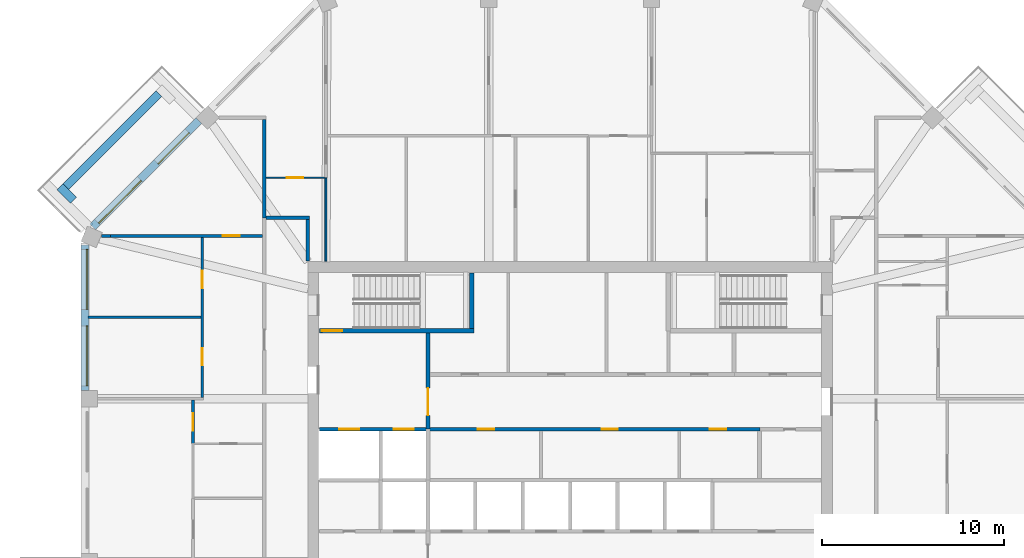
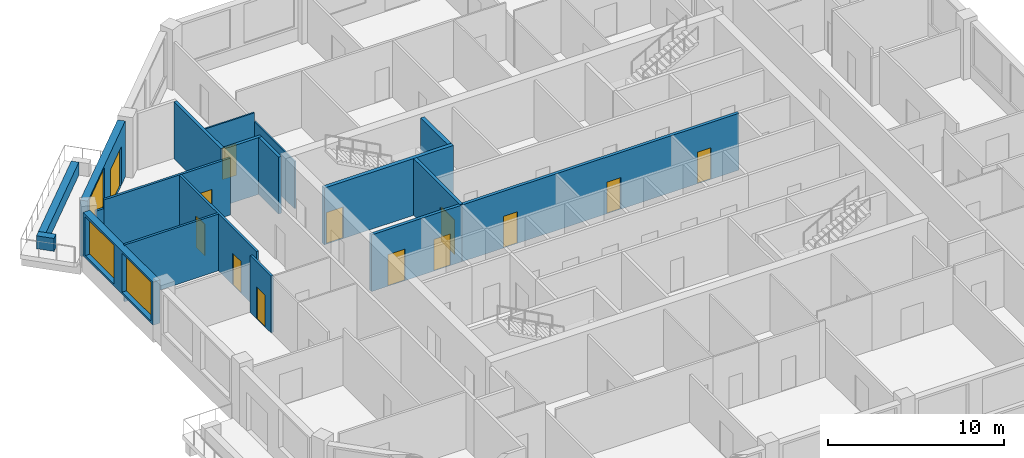
# One storey, part 7 of 11: 19 walls, 13 doors, 3 windows, 16 openings.
"""IFC4 building model written with IfcOpenShell, lengths in metres."""

from ifc_helpers import new_model, si_unit, direction, frame, frame_2d, origin, place, context, subcontext, project, spatial, rectangle, extrude, material, layer, layer_set, type_object, element, fill, save


model = new_model("IFC4")

# Units and contexts
model_context = context("Model", 3, precision=1e-05, world=origin(), true_north=direction((0.0, 1.0)))
body_context = subcontext(model_context, "Body", "Model", "MODEL_VIEW")
ifc_project = project(units=[si_unit("LENGTHUNIT", "METRE"), si_unit("AREAUNIT", "SQUARE_METRE"), si_unit("VOLUMEUNIT", "CUBIC_METRE"), si_unit("PLANEANGLEUNIT", "RADIAN"), si_unit("MASSUNIT", "GRAM", prefix="KILO")], contexts=[model_context])

# Site, building, storey
site_placement = place(None, origin())
site = spatial("IfcSite", under=ifc_project, at=site_placement, CompositionType="ELEMENT")
building_placement = place(site_placement, origin())
building = spatial("IfcBuilding", under=site, at=building_placement, Name="Msitu Wima Residences", CompositionType="ELEMENT")
storey_placement = place(building_placement, frame((0.0, 0.0, 302.10009765625)))
storey = spatial("IfcBuildingStorey", under=building, at=storey_placement, Name="L70", CompositionType="ELEMENT", Elevation=302.10009765625)

# Walls
ifc_material_1 = material(Name="Facing brick")
ifc_layer_1 = layer(ifc_material_1, 0.06494140625, Name="Facing brick")
ifc_material_2 = material(Name="Concrete C40/50", Category="concrete")
ifc_layer_2 = layer(ifc_material_2, 0.156005859375, Name="Concrete C40/50")
ifc_material_3 = material(Name="Waterproofing membrane")
ifc_layer_3 = layer(ifc_material_3, 0.00390625, Name="Waterproofing membrane")
ifc_material_4 = material(Name="Planting soil and planting")
ifc_layer_4 = layer(ifc_material_4, 0.22509765625, Name="Planting soil and planting")
ifc_layer_set_1 = layer_set([ifc_layer_1, ifc_layer_2, ifc_layer_3, ifc_layer_4], Name="Concrete C40/50")
wall_type_1 = type_object("IfcWallType", Name="Balcony planter PLANTER PL450", PredefinedType="USERDEFINED", material=ifc_layer_set_1)
wall_1_placement = place(storey_placement, frame((-22.572265625, 21.228759765625, 0.0), z_axis=(0.0, 0.0, 1.0), x_axis=(-0.707106781187, -0.707106781187, 0.0)))
element("IfcWall", 1, at=wall_1_placement, inside=storey, type_object=wall_type_1, Name="Balcony planter NW1 L70", ObjectType="PLANTER", PredefinedType="USERDEFINED", context=body_context, shape_type="SweptSolid", body=[
    extrude(rectangle(XDim=7.23828125, YDim=0.449951171875, at=frame_2d((3.619140625, 0.0))), origin(), (0.0, 0.0, 1.0), 0.89990234375),
])
wall_2_placement = place(storey_placement, frame((-27.26611328125, 15.3681640625, 0.0), z_axis=(0.0, 0.0, 1.0), x_axis=(-0.707223014731, 0.706990528533, 0.0)))
element("IfcWall", 2, at=wall_2_placement, inside=storey, type_object=wall_type_1, Name="Balcony planter NW1 L70", ObjectType="PLANTER", PredefinedType="USERDEFINED", context=body_context, shape_type="SweptSolid", body=[
    extrude(rectangle(XDim=1.050048828125, YDim=0.449951171875, at=frame_2d((0.52490234375, 0.0))), origin(), (0.0, 0.0, 1.0), 0.89990234375),
])

# Wall, openings, door, window
ifc_material_5 = material(Name="Brick (red buff mix)", Category="masonry")
ifc_layer_5 = layer(ifc_material_5, 0.449951171875)
ifc_layer_set_2 = layer_set([ifc_layer_5], Name="Brick (red buff mix)")
wall_type_2 = type_object("IfcWallType", Name="Brick infill wall BW450", PredefinedType="SOLIDWALL", material=ifc_layer_set_2)
wall_3_placement = place(storey_placement, frame((-20.380126953125, 19.743896484375, 0.0), z_axis=(0.0, 0.0, 1.0), x_axis=(-0.707106781187, -0.707106781187, 0.0)))
wall_3 = element("IfcWall", 3, at=wall_3_placement, inside=storey, type_object=wall_type_2, Name="Brick infill wall L70 NW1", PredefinedType="SOLIDWALL", context=body_context, shape_type="SweptSolid", body=[
    extrude(rectangle(XDim=8.251220703125, YDim=0.449951171875, at=frame_2d((4.12548828125, 0.0))), origin(), (0.0, 0.0, 1.0), 3.89990234375),
])
opening_1_placement = place(wall_3_placement, frame((0.86279296875, 0.0, 0.0)))
opening_1 = element("IfcOpeningElement", 4, at=opening_1_placement, cuts=wall_3, Name="Opening D68-70.004", PredefinedType="OPENING", context=body_context, shape_type="SweptSolid", body=[
    extrude(rectangle(XDim=2.39990234375, YDim=2.699951171875, at=frame_2d((1.199951171875, 1.35009765625))), frame((0.0, 0.23486328125, 0.0), z_axis=(0.0, -1.0, 0.0), x_axis=(1.0, 0.0, 0.0)), (0.0, 0.0, 1.0), 0.469970703125),
])
opening_2_placement = place(wall_3_placement, frame((4.57568359375, 0.0, 1.050048828125)))
opening_2 = element("IfcOpeningElement", 5, at=opening_2_placement, cuts=wall_3, Name="Opening W68-70.016", PredefinedType="OPENING", context=body_context, shape_type="SweptSolid", body=[
    extrude(rectangle(XDim=3.300048828125, YDim=2.699951171875, at=frame_2d((1.64990234375, 1.35009765625))), frame((0.0, 0.23486328125, 0.0), z_axis=(0.0, -1.0, 0.0), x_axis=(1.0, 0.0, 0.0)), (0.0, 0.0, 1.0), 0.469970703125),
])
ifc_material_6 = material(Name="Anodised aluminium, bronze finish, clear low-emissivity double glazing", Category="aluminium")
door_type_1 = type_object("IfcDoorType", Name="Balcony door D2400x2700", OperationType="SLIDING_TO_LEFT", PredefinedType="DOOR", material=ifc_material_6)
door_1_placement = place(opening_1_placement, origin())
door_1 = element("IfcDoor", 6, at=door_1_placement, inside=storey, type_object=door_type_1, Name="Balcony door L70 NW1", OperationType="SINGLE_SWING_LEFT", OverallHeight=2.699951171875, OverallWidth=2.39990234375, PredefinedType="DOOR", context=body_context, shape_type="SweptSolid", body=[
    extrude(rectangle(XDim=2.39990234375, YDim=2.699951171875, at=frame_2d((1.199951171875, 1.35009765625))), frame((0.0, 0.1298828125, 0.0), z_axis=(0.0, -1.0, 0.0), x_axis=(1.0, 0.0, 0.0)), (0.0, 0.0, 1.0), 0.050048828125),
])
fill(opening_1, door_1)
window_type = type_object("IfcWindowType", Name="Window W3300x2700", PartitioningType="DOUBLE_PANEL_VERTICAL", PredefinedType="WINDOW", material=ifc_material_6)
window_1_placement = place(opening_2_placement, origin())
window_1 = element("IfcWindow", 7, at=window_1_placement, inside=storey, type_object=window_type, Name="Window L70 NW1.2", OverallHeight=2.699951171875, OverallWidth=3.300048828125, PartitioningType="SINGLE_PANEL", PredefinedType="WINDOW", context=body_context, shape_type="SweptSolid", body=[
    extrude(rectangle(XDim=3.300048828125, YDim=2.699951171875, at=frame_2d((1.64990234375, 1.35009765625))), frame((0.0, 0.135009765625, 0.0), z_axis=(0.0, -1.0, 0.0), x_axis=(1.0, 0.0, 0.0)), (0.0, 0.0, 1.0), 0.06005859375),
])
fill(opening_2, window_1)

# Wall, openings, windows
wall_4_placement = place(storey_placement, frame((-26.625, 12.918701171875, 0.89990234375), z_axis=(0.0, 0.0, 1.0), x_axis=(0.0, -1.0, 0.0)))
wall_4 = element("IfcWall", 8, at=wall_4_placement, inside=storey, type_object=wall_type_2, Name="Brick infill wall L70 W0", PredefinedType="SOLIDWALL", context=body_context, shape_type="SweptSolid", body=[
    extrude(rectangle(XDim=8.0, YDim=0.449951171875, at=frame_2d((4.0, 0.0))), origin(), (0.0, 0.0, 1.0), 3.0),
])
opening_3_placement = place(wall_4_placement, frame((0.25, 0.0, 0.14990234375)))
opening_3 = element("IfcOpeningElement", 9, at=opening_3_placement, cuts=wall_4, Name="Opening W68-70.029", PredefinedType="OPENING", context=body_context, shape_type="SweptSolid", body=[
    extrude(rectangle(XDim=3.300048828125, YDim=2.699951171875, at=frame_2d((1.64990234375, 1.35009765625))), frame((0.0, 0.23486328125, 0.0), z_axis=(0.0, -1.0, 0.0), x_axis=(1.0, 0.0, 0.0)), (0.0, 0.0, 1.0), 0.469970703125),
])
opening_4_placement = place(wall_4_placement, frame((4.4501953125, 0.0, 0.14990234375)))
opening_4 = element("IfcOpeningElement", 10, at=opening_4_placement, cuts=wall_4, Name="Opening W68-70.030", PredefinedType="OPENING", context=body_context, shape_type="SweptSolid", body=[
    extrude(rectangle(XDim=3.300048828125, YDim=2.699951171875, at=frame_2d((1.64990234375, 1.35009765625))), frame((0.0, 0.23486328125, 0.0), z_axis=(0.0, -1.0, 0.0), x_axis=(1.0, 0.0, 0.0)), (0.0, 0.0, 1.0), 0.469970703125),
])
window_2_placement = place(opening_3_placement, origin())
window_2 = element("IfcWindow", 11, at=window_2_placement, inside=storey, type_object=window_type, Name="Window L70 W0.1", OverallHeight=2.699951171875, OverallWidth=3.300048828125, PartitioningType="SINGLE_PANEL", PredefinedType="WINDOW", context=body_context, shape_type="SweptSolid", body=[
    extrude(rectangle(XDim=3.300048828125, YDim=2.699951171875, at=frame_2d((1.64990234375, 1.35009765625))), frame((0.0, 0.135009765625, 0.0), z_axis=(0.0, -1.0, 0.0), x_axis=(1.0, 0.0, 0.0)), (0.0, 0.0, 1.0), 0.06005859375),
])
fill(opening_3, window_2)
window_3_placement = place(opening_4_placement, origin())
window_3 = element("IfcWindow", 12, at=window_3_placement, inside=storey, type_object=window_type, Name="Window L70 W0.2", OverallHeight=2.699951171875, OverallWidth=3.300048828125, PartitioningType="SINGLE_PANEL", PredefinedType="WINDOW", context=body_context, shape_type="SweptSolid", body=[
    extrude(rectangle(XDim=3.300048828125, YDim=2.699951171875, at=frame_2d((1.64990234375, 1.35009765625))), frame((0.0, 0.135009765625, 0.0), z_axis=(0.0, -1.0, 0.0), x_axis=(1.0, 0.0, 0.0)), (0.0, 0.0, 1.0), 0.06005859375),
])
fill(opening_4, window_3)

# Walls
ifc_material_7 = material(Name="Plaster")
ifc_layer_6 = layer(ifc_material_7, 0.011962890625, Name="Plaster")
ifc_material_8 = material(Name="Concrete blockwork", Category="masonry")
ifc_layer_7 = layer(ifc_material_8, 0.176025390625, Name="Concrete blockwork")
ifc_layer_8 = layer(ifc_material_7, 0.011962890625, Name="Plaster")
ifc_layer_set_3 = layer_set([ifc_layer_6, ifc_layer_7, ifc_layer_8], Name="Concrete blockwork")
wall_type_3 = type_object("IfcWallType", Name="Corridor wall FW200", PredefinedType="PARTITIONING", material=ifc_layer_set_3)
wall_5_placement = place(storey_placement, frame((-16.699951171875, 14.39990234375, 0.0), z_axis=(0.0, 0.0, 1.0), x_axis=(1.0, 0.0, 0.0)))
element("IfcWall", 13, at=wall_5_placement, inside=storey, type_object=wall_type_3, Name="Corridor wall", PredefinedType="PARTITIONING", context=body_context, shape_type="SweptSolid", body=[
    extrude(rectangle(XDim=2.39990234375, YDim=0.199951171875, at=frame_2d((1.199951171875, 0.0))), origin(), (0.0, 0.0, 1.0), 3.949951171875),
])
wall_6_placement = place(storey_placement, frame((-14.39990234375, 12.030029296875, 0.0), z_axis=(0.0, 0.0, 1.0), x_axis=(0.0, 1.0, 0.0)))
element("IfcWall", 14, at=wall_6_placement, inside=storey, type_object=wall_type_3, Name="Corridor wall", PredefinedType="PARTITIONING", context=body_context, shape_type="SweptSolid", body=[
    extrude(rectangle(XDim=2.27001953125, YDim=0.199951171875, at=frame_2d((1.135009765625, 0.0))), origin(), (0.0, 0.0, 1.0), 3.949951171875),
])

# Wall, openings, doors
wall_7_placement = place(storey_placement, frame((-7.820068359375, 2.800048828125, 0.0), z_axis=(0.0, 0.0, 1.0), x_axis=(1.0, 0.0, 0.0)))
wall_7 = element("IfcWall", 15, at=wall_7_placement, inside=storey, type_object=wall_type_3, Name="Corridor wall", PredefinedType="PARTITIONING", context=body_context, shape_type="SweptSolid", body=[
    extrude(rectangle(XDim=18.239990234375, YDim=0.199951171875, at=frame_2d((9.1201171875, 0.0))), origin(), (0.0, 0.0, 1.0), 3.949951171875),
])
opening_5_placement = place(wall_7_placement, frame((2.75, 0.0, 0.0)))
opening_5 = element("IfcOpeningElement", 16, at=opening_5_placement, cuts=wall_7, Name="Opening D68-70.073", PredefinedType="OPENING", context=body_context, shape_type="SweptSolid", body=[
    extrude(rectangle(XDim=0.89990234375, YDim=2.199951171875, at=frame_2d((0.449951171875, 1.10009765625))), frame((0.0, 0.10986328125, 0.0), z_axis=(0.0, -1.0, 0.0), x_axis=(1.0, 0.0, 0.0)), (0.0, 0.0, 1.0), 0.219970703125),
])
opening_6_placement = place(wall_7_placement, frame((9.550048828125, 0.0, 0.0)))
opening_6 = element("IfcOpeningElement", 17, at=opening_6_placement, cuts=wall_7, Name="Opening D68-70.074", PredefinedType="OPENING", context=body_context, shape_type="SweptSolid", body=[
    extrude(rectangle(XDim=0.89990234375, YDim=2.199951171875, at=frame_2d((0.449951171875, 1.10009765625))), frame((0.0, 0.10986328125, 0.0), z_axis=(0.0, -1.0, 0.0), x_axis=(1.0, 0.0, 0.0)), (0.0, 0.0, 1.0), 0.219970703125),
])
opening_7_placement = place(wall_7_placement, frame((15.5, 0.0, 0.0)))
opening_7 = element("IfcOpeningElement", 18, at=opening_7_placement, cuts=wall_7, Name="Opening D68-70.075", PredefinedType="OPENING", context=body_context, shape_type="SweptSolid", body=[
    extrude(rectangle(XDim=0.89990234375, YDim=2.199951171875, at=frame_2d((0.449951171875, 1.10009765625))), frame((0.0, 0.10986328125, 0.0), z_axis=(0.0, -1.0, 0.0), x_axis=(1.0, 0.0, 0.0)), (0.0, 0.0, 1.0), 0.219970703125),
])
ifc_material_9 = material(Name="Timber flush door", Category="wood")
door_type_2 = type_object("IfcDoorType", Name="Service door D05 900x2200", OperationType="SINGLE_SWING_LEFT", PredefinedType="DOOR", material=ifc_material_9)
door_2_placement = place(opening_5_placement, origin())
door_2 = element("IfcDoor", 19, at=door_2_placement, inside=storey, type_object=door_type_2, Name="Service door", OperationType="SINGLE_SWING_LEFT", OverallHeight=2.199951171875, OverallWidth=0.89990234375, PredefinedType="DOOR", context=body_context, shape_type="SweptSolid", body=[
    extrude(rectangle(XDim=0.89990234375, YDim=2.199951171875, at=frame_2d((0.449951171875, 1.10009765625))), frame((0.0, 0.02490234375, 0.0), z_axis=(0.0, -1.0, 0.0), x_axis=(1.0, 0.0, 0.0)), (0.0, 0.0, 1.0), 0.050048828125),
])
fill(opening_5, door_2)
door_3_placement = place(opening_6_placement, origin())
door_3 = element("IfcDoor", 20, at=door_3_placement, inside=storey, type_object=door_type_2, Name="Service door", OperationType="SINGLE_SWING_LEFT", OverallHeight=2.199951171875, OverallWidth=0.89990234375, PredefinedType="DOOR", context=body_context, shape_type="SweptSolid", body=[
    extrude(rectangle(XDim=0.89990234375, YDim=2.199951171875, at=frame_2d((0.449951171875, 1.10009765625))), frame((0.0, 0.02490234375, 0.0), z_axis=(0.0, -1.0, 0.0), x_axis=(1.0, 0.0, 0.0)), (0.0, 0.0, 1.0), 0.050048828125),
])
fill(opening_6, door_3)
door_4_placement = place(opening_7_placement, origin())
door_4 = element("IfcDoor", 21, at=door_4_placement, inside=storey, type_object=door_type_2, Name="Service door", OperationType="SINGLE_SWING_RIGHT", OverallHeight=2.199951171875, OverallWidth=0.89990234375, PredefinedType="DOOR", context=body_context, shape_type="SweptSolid", body=[
    extrude(rectangle(XDim=0.89990234375, YDim=2.199951171875, at=frame_2d((0.449951171875, 1.10009765625))), frame((0.0, 0.02490234375, 0.0), z_axis=(0.0, -1.0, 0.0), x_axis=(1.0, 0.0, 0.0)), (0.0, 0.0, 1.0), 0.050048828125),
])
fill(opening_7, door_4)

# Wall, opening, door
wall_8_placement = place(storey_placement, frame((-7.800048828125, 2.800048828125, 0.0), z_axis=(0.0, 0.0, 1.0), x_axis=(0.0, 1.0, 0.0)))
wall_8 = element("IfcWall", 22, at=wall_8_placement, inside=storey, type_object=wall_type_3, Name="Corridor wall", PredefinedType="PARTITIONING", context=body_context, shape_type="SweptSolid", body=[
    extrude(rectangle(XDim=5.27490234375, YDim=0.199951171875, at=frame_2d((2.637451171875, 0.0))), origin(), (0.0, 0.0, 1.0), 3.949951171875),
])
opening_8_placement = place(wall_8_placement, frame((0.75, 0.0, 0.0)))
opening_8 = element("IfcOpeningElement", 23, at=opening_8_placement, cuts=wall_8, Name="Opening D68-70.059", PredefinedType="OPENING", context=body_context, shape_type="SweptSolid", body=[
    extrude(rectangle(XDim=1.5, YDim=2.39990234375, at=frame_2d((0.75, 1.199951171875))), frame((0.0, 0.10986328125, 0.0), z_axis=(0.0, -1.0, 0.0), x_axis=(1.0, 0.0, 0.0)), (0.0, 0.0, 1.0), 0.219970703125),
])
ifc_material_10 = material(Name="Steel framed glazed door, fire resisting", Category="steel")
door_type_3 = type_object("IfcDoorType", Name="Lobby door D07 1500x2400", OperationType="DOUBLE_DOOR_SINGLE_SWING", PredefinedType="DOOR", material=ifc_material_10)
door_5_placement = place(opening_8_placement, origin())
door_5 = element("IfcDoor", 24, at=door_5_placement, inside=storey, type_object=door_type_3, Name="Lobby door", OperationType="DOUBLE_DOOR_SINGLE_SWING", OverallHeight=2.39990234375, OverallWidth=1.5, PredefinedType="DOOR", context=body_context, shape_type="SweptSolid", body=[
    extrude(rectangle(XDim=1.5, YDim=2.39990234375, at=frame_2d((0.75, 1.199951171875))), frame((0.0, 0.02490234375, 0.0), z_axis=(0.0, -1.0, 0.0), x_axis=(1.0, 0.0, 0.0)), (0.0, 0.0, 1.0), 0.050048828125),
])
fill(opening_8, door_5)

# Walls
ifc_layer_9 = layer(ifc_material_7, 0.011962890625, Name="Plaster")
ifc_layer_10 = layer(ifc_material_8, 0.1259765625, Name="Concrete blockwork")
ifc_layer_11 = layer(ifc_material_7, 0.011962890625, Name="Plaster")
ifc_layer_set_4 = layer_set([ifc_layer_9, ifc_layer_10, ifc_layer_11], Name="Concrete blockwork")
wall_type_4 = type_object("IfcWallType", Name="Partition PW150", PredefinedType="PARTITIONING", material=ifc_layer_set_4)
wall_9_placement = place(storey_placement, frame((-26.455078125, 8.937255859375, 0.0), z_axis=(0.0, 0.0, 1.0), x_axis=(1.0, 0.0, 0.0)))
element("IfcWall", 25, at=wall_9_placement, inside=storey, type_object=wall_type_4, Name="Partition", PredefinedType="PARTITIONING", context=body_context, shape_type="SweptSolid", body=[
    extrude(rectangle(XDim=6.18017578125, YDim=0.14990234375, at=frame_2d((3.090087890625, 0.0))), origin(), (0.0, 0.0, 1.0), 3.949951171875),
])
wall_10_placement = place(storey_placement, frame((-25.731201171875, 13.406005859375, 0.0), z_axis=(0.0, 0.0, 1.0), x_axis=(1.0, 0.0, 0.0)))
element("IfcWall", 26, at=wall_10_placement, inside=storey, type_object=wall_type_4, Name="Partition", PredefinedType="PARTITIONING", context=body_context, shape_type="SweptSolid", body=[
    extrude(rectangle(XDim=0.507080078125, YDim=0.14990234375, at=frame_2d((0.25341796875, 0.0))), origin(), (0.0, 0.0, 1.0), 3.349853515625),
])

# Wall, opening, door
wall_11_placement = place(storey_placement, frame((-25.22412109375, 13.406005859375, 0.0), z_axis=(0.0, 0.0, 1.0), x_axis=(1.0, 0.0, 0.0)))
wall_11 = element("IfcWall", 27, at=wall_11_placement, inside=storey, type_object=wall_type_4, Name="Partition", PredefinedType="PARTITIONING", context=body_context, shape_type="SweptSolid", body=[
    extrude(rectangle(XDim=8.32421875, YDim=0.14990234375, at=frame_2d((4.162109375, 0.0))), origin(), (0.0, 0.0, 1.0), 3.949951171875),
])
opening_9_placement = place(wall_11_placement, frame((6.142822265625, 0.0, 0.0)))
opening_9 = element("IfcOpeningElement", 28, at=opening_9_placement, cuts=wall_11, Name="Opening D68-70.035", PredefinedType="OPENING", context=body_context, shape_type="SweptSolid", body=[
    extrude(rectangle(XDim=0.949951171875, YDim=2.199951171875, at=frame_2d((0.47509765625, 1.10009765625))), frame((0.0, 0.0849609375, 0.0), z_axis=(0.0, -1.0, 0.0), x_axis=(1.0, 0.0, 0.0)), (0.0, 0.0, 1.0), 0.169921875),
])
door_type_4 = type_object("IfcDoorType", Name="Room door D12 950x2200", OperationType="SINGLE_SWING_LEFT", PredefinedType="DOOR", material=ifc_material_9)
door_6_placement = place(opening_9_placement, origin())
door_6 = element("IfcDoor", 29, at=door_6_placement, inside=storey, type_object=door_type_4, Name="Room door", OperationType="SINGLE_SWING_RIGHT", OverallHeight=2.199951171875, OverallWidth=0.949951171875, PredefinedType="DOOR", context=body_context, shape_type="SweptSolid", body=[
    extrude(rectangle(XDim=0.949951171875, YDim=2.199951171875, at=frame_2d((0.47509765625, 1.10009765625))), frame((0.0, 0.02490234375, 0.0), z_axis=(0.0, -1.0, 0.0), x_axis=(1.0, 0.0, 0.0)), (0.0, 0.0, 1.0), 0.050048828125),
])
fill(opening_9, door_6)

wall_12_placement = place(storey_placement, frame((-20.699951171875, 2.02001953125, 0.0), z_axis=(0.0, 0.0, 1.0), x_axis=(0.0, 1.0, 0.0)))
wall_12 = element("IfcWall", 30, at=wall_12_placement, inside=storey, type_object=wall_type_4, Name="Partition", PredefinedType="PARTITIONING", context=body_context, shape_type="SweptSolid", body=[
    extrude(rectangle(XDim=2.37353515625, YDim=0.14990234375, at=frame_2d((1.186767578125, 0.0))), origin(), (0.0, 0.0, 1.0), 3.949951171875),
])
opening_10_placement = place(wall_12_placement, frame((0.699951171875, 0.0, 0.0)))
opening_10 = element("IfcOpeningElement", 31, at=opening_10_placement, cuts=wall_12, Name="Opening D68-70.039", PredefinedType="OPENING", context=body_context, shape_type="SweptSolid", body=[
    extrude(rectangle(XDim=0.949951171875, YDim=2.199951171875, at=frame_2d((0.47509765625, 1.10009765625))), frame((0.0, 0.0849609375, 0.0), z_axis=(0.0, -1.0, 0.0), x_axis=(1.0, 0.0, 0.0)), (0.0, 0.0, 1.0), 0.169921875),
])
door_7_placement = place(opening_10_placement, origin())
door_7 = element("IfcDoor", 32, at=door_7_placement, inside=storey, type_object=door_type_4, Name="Room door", OperationType="SINGLE_SWING_RIGHT", OverallHeight=2.199951171875, OverallWidth=0.949951171875, PredefinedType="DOOR", context=body_context, shape_type="SweptSolid", body=[
    extrude(rectangle(XDim=0.949951171875, YDim=2.199951171875, at=frame_2d((0.47509765625, 1.10009765625))), frame((0.0, 0.02490234375, 0.0), z_axis=(0.0, -1.0, 0.0), x_axis=(1.0, 0.0, 0.0)), (0.0, 0.0, 1.0), 0.050048828125),
])
fill(opening_10, door_7)

# Wall, openings, doors
wall_13_placement = place(storey_placement, frame((-20.199951171875, 4.543701171875, 0.0), z_axis=(0.0, 0.0, 1.0), x_axis=(0.0, 1.0, 0.0)))
wall_13 = element("IfcWall", 33, at=wall_13_placement, inside=storey, type_object=wall_type_4, Name="Partition", PredefinedType="PARTITIONING", context=body_context, shape_type="SweptSolid", body=[
    extrude(rectangle(XDim=8.787109375, YDim=0.14990234375, at=frame_2d((4.3935546875, 0.0))), origin(), (0.0, 0.0, 1.0), 3.949951171875),
])
opening_11_placement = place(wall_13_placement, frame((6.0, 0.0, 0.0)))
opening_11 = element("IfcOpeningElement", 34, at=opening_11_placement, cuts=wall_13, Name="Opening D68-70.037", PredefinedType="OPENING", context=body_context, shape_type="SweptSolid", body=[
    extrude(rectangle(XDim=0.949951171875, YDim=2.199951171875, at=frame_2d((0.47509765625, 1.10009765625))), frame((0.0, 0.0849609375, 0.0), z_axis=(0.0, -1.0, 0.0), x_axis=(1.0, 0.0, 0.0)), (0.0, 0.0, 1.0), 0.169921875),
])
opening_12_placement = place(wall_13_placement, frame((1.75, 0.0, 0.0)))
opening_12 = element("IfcOpeningElement", 35, at=opening_12_placement, cuts=wall_13, Name="Opening D68-70.038", PredefinedType="OPENING", context=body_context, shape_type="SweptSolid", body=[
    extrude(rectangle(XDim=0.949951171875, YDim=2.199951171875, at=frame_2d((0.47509765625, 1.10009765625))), frame((0.0, 0.0849609375, 0.0), z_axis=(0.0, -1.0, 0.0), x_axis=(1.0, 0.0, 0.0)), (0.0, 0.0, 1.0), 0.169921875),
])
door_8_placement = place(opening_11_placement, origin())
door_8 = element("IfcDoor", 36, at=door_8_placement, inside=storey, type_object=door_type_4, Name="Room door", OperationType="SINGLE_SWING_LEFT", OverallHeight=2.199951171875, OverallWidth=0.949951171875, PredefinedType="DOOR", context=body_context, shape_type="SweptSolid", body=[
    extrude(rectangle(XDim=0.949951171875, YDim=2.199951171875, at=frame_2d((0.47509765625, 1.10009765625))), frame((0.0, 0.02490234375, 0.0), z_axis=(0.0, -1.0, 0.0), x_axis=(1.0, 0.0, 0.0)), (0.0, 0.0, 1.0), 0.050048828125),
])
fill(opening_11, door_8)
door_9_placement = place(opening_12_placement, origin())
door_9 = element("IfcDoor", 37, at=door_9_placement, inside=storey, type_object=door_type_4, Name="Room door", OperationType="SINGLE_SWING_RIGHT", OverallHeight=2.199951171875, OverallWidth=0.949951171875, PredefinedType="DOOR", context=body_context, shape_type="SweptSolid", body=[
    extrude(rectangle(XDim=0.949951171875, YDim=2.199951171875, at=frame_2d((0.47509765625, 1.10009765625))), frame((0.0, 0.02490234375, 0.0), z_axis=(0.0, -1.0, 0.0), x_axis=(1.0, 0.0, 0.0)), (0.0, 0.0, 1.0), 0.050048828125),
])
fill(opening_12, door_9)

# Wall
ifc_layer_12 = layer(ifc_material_7, 0.011962890625, Name="Plaster")
ifc_material_11 = material(Name="Dense concrete blockwork", Category="masonry")
ifc_layer_13 = layer(ifc_material_11, 0.176025390625, Name="Dense concrete blockwork")
ifc_layer_14 = layer(ifc_material_7, 0.011962890625, Name="Plaster")
ifc_layer_set_5 = layer_set([ifc_layer_12, ifc_layer_13, ifc_layer_14], Name="Dense concrete blockwork")
wall_type_5 = type_object("IfcWallType", Name="Party wall PW200", PredefinedType="PARTITIONING", material=ifc_layer_set_5)
wall_14_placement = place(storey_placement, frame((-16.800048828125, 14.39990234375, 0.0), z_axis=(0.0, 0.0, 1.0), x_axis=(0.0, 1.0, 0.0)))
element("IfcWall", 38, at=wall_14_placement, inside=storey, type_object=wall_type_5, Name="Party wall", PredefinedType="PARTITIONING", context=body_context, shape_type="SweptSolid", body=[
    extrude(rectangle(XDim=5.403076171875, YDim=0.199951171875, at=frame_2d((2.70166015625, 0.0))), origin(), (0.0, 0.0, 1.0), 3.949951171875),
])

# Wall, openings, doors
ifc_material_12 = material(Name="Fire-rated board")
ifc_layer_15 = layer(ifc_material_12, 0.02490234375, Name="Fire-rated board")
ifc_material_13 = material(Name="Light-gauge stud framing with mineral wool")
ifc_layer_16 = layer(ifc_material_13, 0.14990234375, Name="Light-gauge stud framing with mineral wool")
ifc_layer_17 = layer(ifc_material_12, 0.02490234375, Name="Fire-rated board")
ifc_layer_set_6 = layer_set([ifc_layer_15, ifc_layer_16, ifc_layer_17], Name="Light-gauge stud framing with mineral wool")
wall_type_6 = type_object("IfcWallType", Name="Shaft wall SH200", PredefinedType="PARTITIONING", material=ifc_layer_set_6)
wall_15_placement = place(storey_placement, frame((-13.77001953125, 2.800048828125, 0.0), z_axis=(0.0, 0.0, 1.0), x_axis=(1.0, 0.0, 0.0)))
wall_15 = element("IfcWall", 39, at=wall_15_placement, inside=storey, type_object=wall_type_6, Name="Shaft wall", PredefinedType="PARTITIONING", context=body_context, shape_type="SweptSolid", body=[
    extrude(rectangle(XDim=5.949951171875, YDim=0.199951171875, at=frame_2d((2.97509765625, 0.0))), origin(), (0.0, 0.0, 1.0), 3.949951171875),
])
opening_13_placement = place(wall_15_placement, frame((1.10009765625, 0.0, 0.0)))
opening_13 = element("IfcOpeningElement", 40, at=opening_13_placement, cuts=wall_15, Name="Opening LD", PredefinedType="OPENING", context=body_context, shape_type="SweptSolid", body=[
    extrude(rectangle(XDim=1.10009765625, YDim=2.199951171875, at=frame_2d((0.550048828125, 1.10009765625))), frame((0.0, 0.10986328125, 0.0), z_axis=(0.0, -1.0, 0.0), x_axis=(1.0, 0.0, 0.0)), (0.0, 0.0, 1.0), 0.219970703125),
])
opening_14_placement = place(wall_15_placement, frame((4.10009765625, 0.0, 0.0)))
opening_14 = element("IfcOpeningElement", 41, at=opening_14_placement, cuts=wall_15, Name="Opening LD", PredefinedType="OPENING", context=body_context, shape_type="SweptSolid", body=[
    extrude(rectangle(XDim=1.10009765625, YDim=2.199951171875, at=frame_2d((0.550048828125, 1.10009765625))), frame((0.0, 0.10986328125, 0.0), z_axis=(0.0, -1.0, 0.0), x_axis=(1.0, 0.0, 0.0)), (0.0, 0.0, 1.0), 0.219970703125),
])
ifc_material_14 = material(Name="Stainless steel centre-opening landing door, rated", Category="steel")
door_type_5 = type_object("IfcDoorType", Name="Lift landing door LD 1100x2200", OperationType="DOUBLE_DOOR_SLIDING", PredefinedType="DOOR", material=ifc_material_14)
door_10_placement = place(opening_13_placement, origin())
door_10 = element("IfcDoor", 42, at=door_10_placement, inside=storey, type_object=door_type_5, Name="Lift landing door LD1", OperationType="DOUBLE_DOOR_SLIDING", OverallHeight=2.199951171875, OverallWidth=1.10009765625, PredefinedType="DOOR", context=body_context, shape_type="SweptSolid", body=[
    extrude(rectangle(XDim=1.10009765625, YDim=2.199951171875, at=frame_2d((0.550048828125, 1.10009765625))), frame((0.0, 0.02490234375, 0.0), z_axis=(0.0, -1.0, 0.0), x_axis=(1.0, 0.0, 0.0)), (0.0, 0.0, 1.0), 0.050048828125),
])
fill(opening_13, door_10)
door_11_placement = place(opening_14_placement, origin())
door_11 = element("IfcDoor", 43, at=door_11_placement, inside=storey, type_object=door_type_5, Name="Lift landing door LD2", OperationType="DOUBLE_DOOR_SLIDING", OverallHeight=2.199951171875, OverallWidth=1.10009765625, PredefinedType="DOOR", context=body_context, shape_type="SweptSolid", body=[
    extrude(rectangle(XDim=1.10009765625, YDim=2.199951171875, at=frame_2d((0.550048828125, 1.10009765625))), frame((0.0, 0.02490234375, 0.0), z_axis=(0.0, -1.0, 0.0), x_axis=(1.0, 0.0, 0.0)), (0.0, 0.0, 1.0), 0.050048828125),
])
fill(opening_14, door_11)

# Wall, opening, door
ifc_material_15 = material(Name="Concrete C50/60", Category="concrete")
ifc_layer_18 = layer(ifc_material_15, 0.25)
ifc_layer_set_7 = layer_set([ifc_layer_18], Name="Concrete C50/60")
wall_type_7 = type_object("IfcWallType", Name="Stair enclosure wall SW250", PredefinedType="SHEAR", material=ifc_layer_set_7)
wall_16_placement = place(storey_placement, frame((-13.77001953125, 8.199951171875, 0.0), z_axis=(0.0, 0.0, 1.0), x_axis=(1.0, 0.0, 0.0)))
wall_16 = element("IfcWall", 44, at=wall_16_placement, inside=storey, type_object=wall_type_7, Name="Stair enclosure wall", PredefinedType="SHEAR", context=body_context, shape_type="SweptSolid", body=[
    extrude(rectangle(XDim=8.4951171875, YDim=0.25, at=frame_2d((4.24755859375, 0.0))), origin(), (0.0, 0.0, 1.0), 3.949951171875),
])
opening_15_placement = place(wall_16_placement, frame((0.14990234375, 0.0, 0.0)))
opening_15 = element("IfcOpeningElement", 45, at=opening_15_placement, cuts=wall_16, Name="Opening D68-70.079", PredefinedType="OPENING", context=body_context, shape_type="SweptSolid", body=[
    extrude(rectangle(XDim=1.10009765625, YDim=2.199951171875, at=frame_2d((0.550048828125, 1.10009765625))), frame((0.0, 0.135009765625, 0.0), z_axis=(0.0, -1.0, 0.0), x_axis=(1.0, 0.0, 0.0)), (0.0, 0.0, 1.0), 0.27001953125),
])
ifc_material_16 = material(Name="Steel door, fire resisting, panic bar", Category="steel")
door_type_6 = type_object("IfcDoorType", Name="Stair door D06 1100x2200", OperationType="SINGLE_SWING_LEFT", PredefinedType="DOOR", material=ifc_material_16)
door_12_placement = place(opening_15_placement, origin())
door_12 = element("IfcDoor", 46, at=door_12_placement, inside=storey, type_object=door_type_6, Name="Stair door", OperationType="SINGLE_SWING_LEFT", OverallHeight=2.199951171875, OverallWidth=1.10009765625, PredefinedType="DOOR", context=body_context, shape_type="SweptSolid", body=[
    extrude(rectangle(XDim=1.10009765625, YDim=2.199951171875, at=frame_2d((0.550048828125, 1.10009765625))), frame((0.0, 0.02490234375, 0.0), z_axis=(0.0, -1.0, 0.0), x_axis=(1.0, 0.0, 0.0)), (0.0, 0.0, 1.0), 0.050048828125),
])
fill(opening_15, door_12)

# Wall
wall_17_placement = place(storey_placement, frame((-5.39990234375, 8.324951171875, 0.0), z_axis=(0.0, 0.0, 1.0), x_axis=(0.0, 1.0, 0.0)))
element("IfcWall", 47, at=wall_17_placement, inside=storey, type_object=wall_type_7, Name="Stair enclosure wall", PredefinedType="SHEAR", context=body_context, shape_type="SweptSolid", body=[
    extrude(rectangle(XDim=3.045166015625, YDim=0.25, at=frame_2d((1.5224609375, 0.0))), origin(), (0.0, 0.0, 1.0), 3.949951171875),
])

# Wall, opening, door
ifc_material_17 = material(Name="Ceramic tiles")
ifc_layer_19 = layer(ifc_material_17, 0.008056640625, Name="Ceramic tiles")
ifc_material_18 = material(Name="Moisture-resistant board")
ifc_layer_20 = layer(ifc_material_18, 0.012451171875, Name="Moisture-resistant board")
ifc_layer_21 = layer(ifc_material_13, 0.06689453125, Name="Light-gauge stud framing with mineral wool")
ifc_layer_22 = layer(ifc_material_18, 0.012451171875, Name="Moisture-resistant board")
ifc_layer_set_8 = layer_set([ifc_layer_19, ifc_layer_20, ifc_layer_21, ifc_layer_22], Name="Light-gauge stud framing with mineral wool")
wall_type_8 = type_object("IfcWallType", Name="Wet wall PW100", PredefinedType="PARTITIONING", material=ifc_layer_set_8)
wall_18_placement = place(storey_placement, frame((-16.699951171875, 16.60009765625, 0.0), z_axis=(0.0, 0.0, 1.0), x_axis=(1.0, 0.0, 0.0)))
wall_18 = element("IfcWall", 48, at=wall_18_placement, inside=storey, type_object=wall_type_8, Name="Wet wall", PredefinedType="PARTITIONING", context=body_context, shape_type="SweptSolid", body=[
    extrude(rectangle(XDim=3.218994140625, YDim=0.10009765625, at=frame_2d((1.609375, 0.0))), origin(), (0.0, 0.0, 1.0), 3.949951171875),
])
opening_16_placement = place(wall_18_placement, frame((1.14990234375, 0.0, 0.0)))
opening_16 = element("IfcOpeningElement", 49, at=opening_16_placement, cuts=wall_18, Name="Opening D68-70.025", PredefinedType="OPENING", context=body_context, shape_type="SweptSolid", body=[
    extrude(rectangle(XDim=0.89990234375, YDim=2.199951171875, at=frame_2d((0.449951171875, 1.10009765625))), frame((0.0, 0.06005859375, 0.0), z_axis=(0.0, -1.0, 0.0), x_axis=(1.0, 0.0, 0.0)), (0.0, 0.0, 1.0), 0.1201171875),
])
ifc_material_19 = material(Name="Timber flush door, moisture resistant", Category="wood")
door_type_7 = type_object("IfcDoorType", Name="Bathroom door D03 900x2200", OperationType="SINGLE_SWING_LEFT", PredefinedType="DOOR", material=ifc_material_19)
door_13_placement = place(opening_16_placement, origin())
door_13 = element("IfcDoor", 50, at=door_13_placement, inside=storey, type_object=door_type_7, Name="Bathroom door", OperationType="SINGLE_SWING_RIGHT", OverallHeight=2.199951171875, OverallWidth=0.89990234375, PredefinedType="DOOR", context=body_context, shape_type="SweptSolid", body=[
    extrude(rectangle(XDim=0.89990234375, YDim=2.199951171875, at=frame_2d((0.449951171875, 1.10009765625))), frame((0.0, 0.02490234375, 0.0), z_axis=(0.0, -1.0, 0.0), x_axis=(1.0, 0.0, 0.0)), (0.0, 0.0, 1.0), 0.050048828125),
])
fill(opening_16, door_13)

# Wall
wall_19_placement = place(storey_placement, frame((-13.406005859375, 12.030029296875, 0.0), z_axis=(0.0, 0.0, 1.0), x_axis=(0.0, 1.0, 0.0)))
element("IfcWall", 51, at=wall_19_placement, inside=storey, type_object=wall_type_8, Name="Wet wall", PredefinedType="PARTITIONING", context=body_context, shape_type="SweptSolid", body=[
    extrude(rectangle(XDim=4.570068359375, YDim=0.10009765625, at=frame_2d((2.28515625, 0.0))), origin(), (0.0, 0.0, 1.0), 3.2998046875),
])

save(model, "model.ifc")
